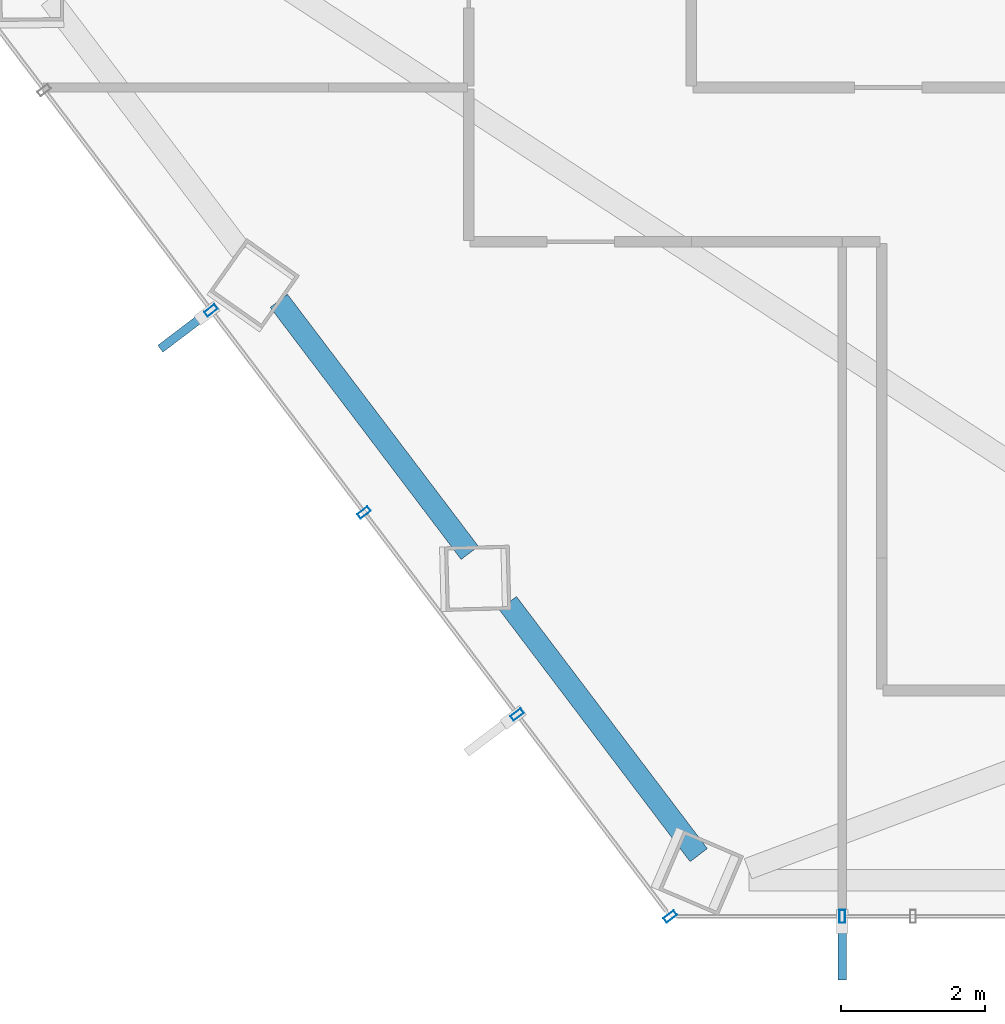
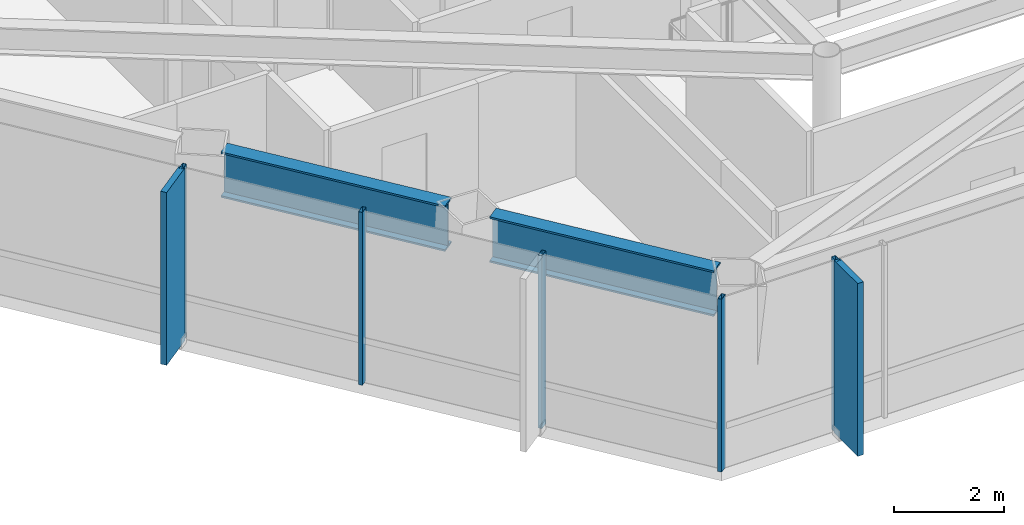
# One storey, part 2 of 27: 7 members, 2 beams, 2 elements without a shape of their own.
"""IFC4 building model written with IfcOpenShell, lengths in metres."""

from ifc_helpers import new_model, si_unit, direction, frame, origin, origin_2d, place, context, subcontext, project, spatial, rectangle, hollow_rectangle, i_section, extrude, material, layer, layer_set, material_profile, profile_set, type_object, element, aggregate, save


model = new_model("IFC4")

# Units and contexts
model_context = context("Model", 3, precision=1e-05, world=origin(), true_north=direction((0.0, 1.0)))
body_context = subcontext(model_context, "Body", "Model", "MODEL_VIEW")
ifc_project = project(units=[si_unit("LENGTHUNIT", "METRE"), si_unit("AREAUNIT", "SQUARE_METRE"), si_unit("VOLUMEUNIT", "CUBIC_METRE"), si_unit("PLANEANGLEUNIT", "RADIAN"), si_unit("MASSUNIT", "GRAM", prefix="KILO")], contexts=[model_context])

# Site, building, storey
site_placement = place(None, origin())
site = spatial("IfcSite", under=ifc_project, at=site_placement, CompositionType="ELEMENT")
building_placement = place(site_placement, origin())
building = spatial("IfcBuilding", under=site, at=building_placement, Name="Zarrinselat Tower", CompositionType="ELEMENT")
storey_placement = place(building_placement, frame((0.0, 0.0, 80.580078125)))
storey = spatial("IfcBuildingStorey", under=building, at=storey_placement, Name="L19", CompositionType="ELEMENT", Elevation=80.580078125)

# Beams
ifc_material_1 = material(Name="Steel S460M", Category="steel")
ifc_material_profile_1 = material_profile(ifc_material_1, i_section(OverallWidth=0.302001953125, OverallDepth=1.008056640625, WebThickness=0.02099609375, FlangeThickness=0.0400390625, at=origin_2d()), Name="HEM 1000")
ifc_profile_set_1 = profile_set([ifc_material_profile_1], Name="Steel S460M")
beam_type = type_object("IfcBeamType", Name="BM-HEM1000", PredefinedType="BEAM", material=ifc_profile_set_1)
beam_1_placement = place(storey_placement, frame((22.8046875, 27.1787109375, 3.31591796875), z_axis=(0.603859822423, -0.797090531159, 0.0), x_axis=(0.797090531159, 0.603859822423, 0.0)))
element("IfcBeam", 1, at=beam_1_placement, inside=storey, type_object=beam_type, Name="L19 Perimeter Spandrel Girder SP08", PredefinedType="BEAM", context=body_context, shape_type="SweptSolid", body=[
    extrude(i_section(OverallWidth=0.302001953125, OverallDepth=1.008056640625, WebThickness=0.02099609375, FlangeThickness=0.0400390625, at=origin_2d()), origin(), (0.0, 0.0, 1.0), 4.404541015625),
])
beam_2_placement = place(storey_placement, frame((25.993408203125, 22.9697265625, 3.31591796875), z_axis=(0.603824602706, -0.797117211687, 0.0), x_axis=(0.797117211687, 0.603824602706, 0.0)))
element("IfcBeam", 2, at=beam_2_placement, inside=storey, type_object=beam_type, Name="L19 Perimeter Spandrel Girder SP09", PredefinedType="BEAM", context=body_context, shape_type="SweptSolid", body=[
    extrude(i_section(OverallWidth=0.302001953125, OverallDepth=1.008056640625, WebThickness=0.02099609375, FlangeThickness=0.0400390625, at=origin_2d()), origin(), (0.0, 0.0, 1.0), 4.404296875),
])

# Curtain wall, members
ifc_material_2 = material(Name="Extruded Aluminium Alloy EN AW-6063 T6", Category="aluminium")
ifc_layer = layer(ifc_material_2, 0.18505859375)
ifc_layer_set = layer_set([ifc_layer], Name="Extruded Aluminium Alloy EN AW-6063 T6")
curtain_wall_type = type_object("IfcCurtainWallType", Name="CWS-OFF", PredefinedType="NOTDEFINED", material=ifc_layer_set)
curtain_wall_1_placement = place(storey_placement, origin())
curtain_wall_1 = element("IfcCurtainWall", 3, at=curtain_wall_1_placement, inside=storey, type_object=curtain_wall_type, Name="L19 Unitised Curtain Wall CW-L19-E03", PredefinedType="NOTDEFINED")
ifc_material_3 = material(Name="Extruded Aluminium Alloy EN AW-6063 T6", Category="aluminium")
ifc_material_profile_2 = material_profile(ifc_material_3, hollow_rectangle(XDim=0.080078125, YDim=0.179931640625, WallThickness=0.0048828125, at=origin_2d()), Name="RHS 180x80x5")
ifc_profile_set_2 = profile_set([ifc_material_profile_2], Name="Extruded Aluminium Alloy EN AW-6063 T6")
member_type_1 = type_object("IfcMemberType", Name="MEM-CW-MUL", PredefinedType="MULLION", material=ifc_profile_set_2)
member_1_placement = place(storey_placement, frame((21.860107421875, 27.0458984375, 0.0), z_axis=(0.0, 0.0, 1.0), x_axis=(0.603854869931, -0.797094283044, 0.0)))
member_1 = element("IfcMember", 4, at=member_1_placement, type_object=member_type_1, Name="CW-L19-E03 Mullion 3", PredefinedType="MULLION", context=body_context, shape_type="SweptSolid", body=[
    extrude(hollow_rectangle(XDim=0.080078125, YDim=0.179931640625, WallThickness=0.0048828125, at=origin_2d()), origin(), (0.0, 0.0, 1.0), 3.81982421875),
])
member_2_placement = place(storey_placement, frame((23.99169921875, 24.232177734375, 0.0), z_axis=(0.0, 0.0, 1.0), x_axis=(0.603854869931, -0.797094283044, 0.0)))
member_2 = element("IfcMember", 5, at=member_2_placement, type_object=member_type_1, Name="CW-L19-E03 Mullion 4", PredefinedType="MULLION", context=body_context, shape_type="SweptSolid", body=[
    extrude(hollow_rectangle(XDim=0.080078125, YDim=0.179931640625, WallThickness=0.0048828125, at=origin_2d()), origin(), (0.0, 0.0, 1.0), 3.81982421875),
])
member_3_placement = place(storey_placement, frame((26.123291015625, 21.418701171875, 0.0), z_axis=(0.0, 0.0, 1.0), x_axis=(0.603854869931, -0.797094283044, 0.0)))
member_3 = element("IfcMember", 6, at=member_3_placement, type_object=member_type_1, Name="CW-L19-E03 Mullion 5", PredefinedType="MULLION", context=body_context, shape_type="SweptSolid", body=[
    extrude(hollow_rectangle(XDim=0.080078125, YDim=0.179931640625, WallThickness=0.0048828125, at=origin_2d()), origin(), (0.0, 0.0, 1.0), 3.81982421875),
])
member_4_placement = place(storey_placement, frame((28.2548828125, 18.60498046875, 0.0), z_axis=(0.0, 0.0, 1.0), x_axis=(0.603854869931, -0.797094283044, 0.0)))
member_4 = element("IfcMember", 7, at=member_4_placement, type_object=member_type_1, Name="CW-L19-E03 Mullion 6", PredefinedType="MULLION", context=body_context, shape_type="SweptSolid", body=[
    extrude(hollow_rectangle(XDim=0.080078125, YDim=0.179931640625, WallThickness=0.0048828125, at=origin_2d()), origin(), (0.0, 0.0, 1.0), 3.81982421875),
])

# Curtain wall, member
curtain_wall_2_placement = place(storey_placement, origin())
curtain_wall_2 = element("IfcCurtainWall", 8, at=curtain_wall_2_placement, inside=storey, type_object=curtain_wall_type, Name="L19 Unitised Curtain Wall CW-L19-E04", PredefinedType="NOTDEFINED")
member_5_placement = place(storey_placement, frame((30.64990234375, 18.60498046875, 0.0), z_axis=(0.0, 0.0, 1.0), x_axis=(1.0, 0.0, 0.0)))
member_5 = element("IfcMember", 9, at=member_5_placement, type_object=member_type_1, Name="CW-L19-E04 Mullion 1", PredefinedType="MULLION", context=body_context, shape_type="SweptSolid", body=[
    extrude(hollow_rectangle(XDim=0.080078125, YDim=0.179931640625, WallThickness=0.0048828125, at=origin_2d()), origin(), (0.0, 0.0, 1.0), 3.81982421875),
])

# Member
ifc_material_4 = material(Name="Honed Cream Travertine Stone", Category="masonry")
ifc_material_profile_3 = material_profile(ifc_material_4, rectangle(XDim=0.1201171875, YDim=0.85009765625, at=origin_2d()), Name="FIN 850x120")
ifc_profile_set_3 = profile_set([ifc_material_profile_3], Name="Honed Cream Travertine Stone")
member_type_2 = type_object("IfcMemberType", Name="MEM-STONE-FIN", PredefinedType="USERDEFINED", material=ifc_profile_set_3)
member_6_placement = place(storey_placement, frame((21.493408203125, 26.76806640625, 0.0), z_axis=(0.0, 0.0, 1.0), x_axis=(-0.603854869931, 0.797094283044, 0.0)))
member_6 = element("IfcMember", 10, at=member_6_placement, type_object=member_type_2, Name="L19 Stone Shading Fin CW-L19-E03-03", ObjectType="FIN", PredefinedType="USERDEFINED", context=body_context, shape_type="SweptSolid", body=[
    extrude(rectangle(XDim=0.1201171875, YDim=0.85009765625, at=origin_2d()), origin(), (0.0, 0.0, 1.0), 3.81982421875),
])

aggregate(curtain_wall_1, [member_1, member_6, member_2, member_3, member_4])

member_7_placement = place(storey_placement, frame((30.64990234375, 18.14501953125, 0.0), z_axis=(0.0, 0.0, 1.0), x_axis=(-1.0, 0.0, 0.0)))
member_7 = element("IfcMember", 11, at=member_7_placement, type_object=member_type_2, Name="L19 Stone Shading Fin CW-L19-E04-01", ObjectType="FIN", PredefinedType="USERDEFINED", context=body_context, shape_type="SweptSolid", body=[
    extrude(rectangle(XDim=0.1201171875, YDim=0.85009765625, at=origin_2d()), origin(), (0.0, 0.0, 1.0), 3.81982421875),
])

aggregate(curtain_wall_2, [member_5, member_7])

save(model, "model.ifc")
